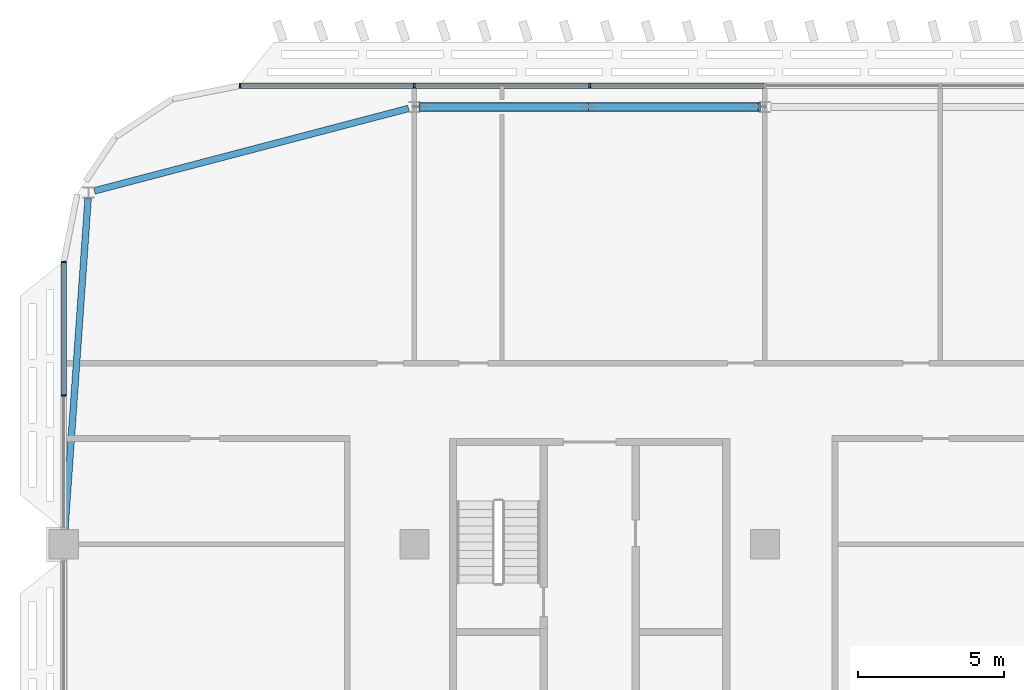
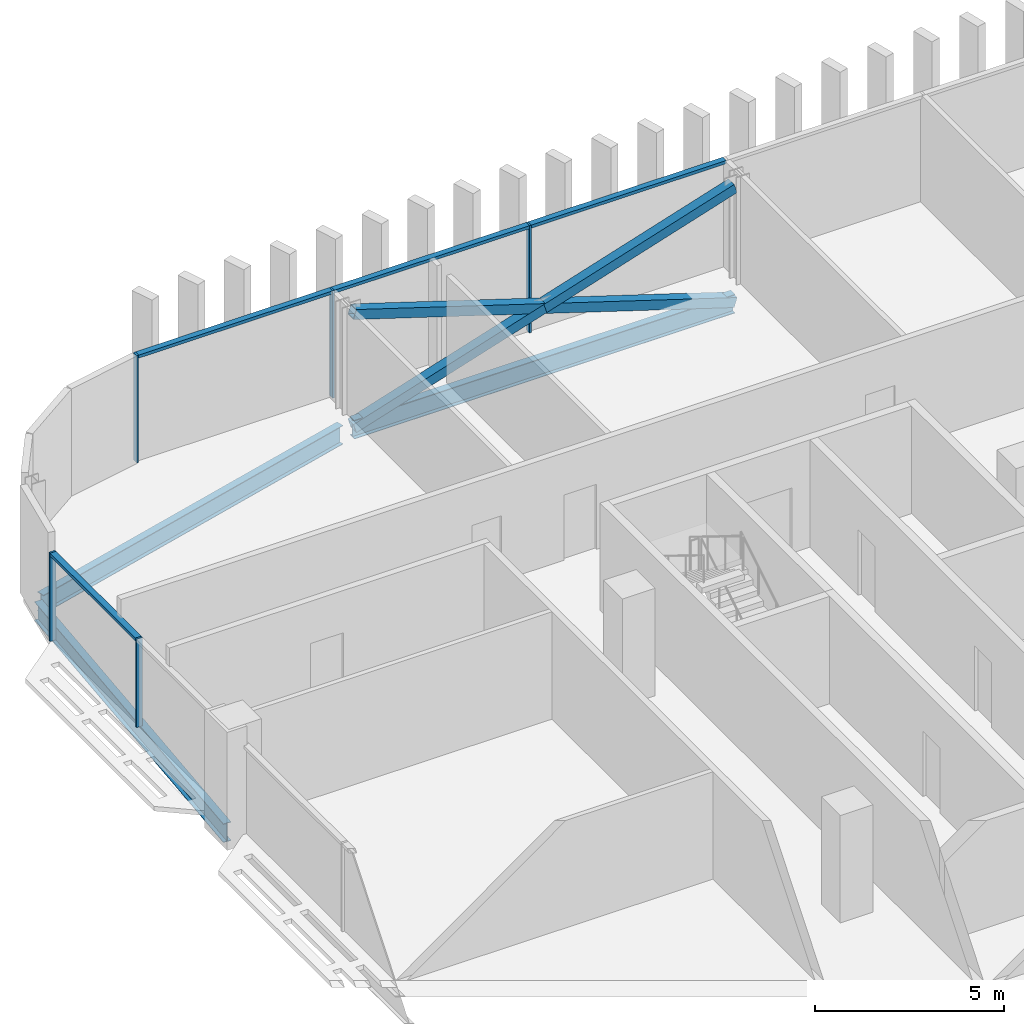
# One storey, part 9 of 34: 12 members, 3 beams, 2 elements without a shape of their own.
"""IFC4 building model written with IfcOpenShell, lengths in metres."""

from ifc_helpers import new_model, si_unit, direction, frame, origin, origin_2d, place, context, subcontext, project, spatial, rectangle, hollow_rectangle, i_section, extrude, material, material_profile, profile_set, type_object, element, aggregate, save


model = new_model("IFC4")

# Units and contexts
model_context = context("Model", 3, precision=1e-05, world=origin(), true_north=direction((0.0, 1.0)))
body_context = subcontext(model_context, "Body", "Model", "MODEL_VIEW")
ifc_project = project(units=[si_unit("LENGTHUNIT", "METRE"), si_unit("AREAUNIT", "SQUARE_METRE"), si_unit("VOLUMEUNIT", "CUBIC_METRE"), si_unit("PLANEANGLEUNIT", "RADIAN"), si_unit("MASSUNIT", "GRAM", prefix="KILO")], contexts=[model_context])

# Site, building, storey
site_placement = place(None, origin())
site = spatial("IfcSite", under=ifc_project, at=site_placement, CompositionType="ELEMENT")
building_placement = place(site_placement, origin())
building = spatial("IfcBuilding", under=site, at=building_placement, Name="Mahtab Terrace Research Tower", CompositionType="ELEMENT")
storey_placement = place(building_placement, frame((0.0, 0.0, 247.60009765625)))
storey = spatial("IfcBuildingStorey", under=building, at=storey_placement, Name="L60", CompositionType="ELEMENT", Elevation=247.60009765625)

# Members
ifc_material_1 = material(Name="Steel ASTM A500 Gr C", Category="steel")
ifc_material_profile_1 = material_profile(ifc_material_1, hollow_rectangle(XDim=0.3046875, YDim=0.3046875, WallThickness=0.015869140625, at=origin_2d()), Name="HSS12X12X5/8")
ifc_profile_set_1 = profile_set([ifc_material_profile_1], Name="Steel ASTM A500 Gr C")
member_type_1 = type_object("IfcMemberType", Name="HSS 12x12x5/8 brace XB121258", PredefinedType="BRACE", material=ifc_profile_set_1)
member_1_placement = place(storey_placement, frame((-18.199462890625, 26.472900390625, -0.58056640625), z_axis=(-0.953338568311, 0.0, 0.301903252998), x_axis=(0.0, -1.0, 0.0)))
element("IfcMember", 1, at=member_1_placement, inside=storey, type_object=member_type_1, Name="Exoskeleton brace L60 07 a", PredefinedType="BRACE", context=body_context, shape_type="SweptSolid", body=[
    extrude(hollow_rectangle(XDim=0.3046875, YDim=0.3046875, WallThickness=0.015869140625, at=origin_2d()), origin(), (0.0, 0.0, 1.0), 12.1689453125),
])
for number, where, z_axis, x_axis, name in (
    (2, (-29.800537109375, 26.472900390625, -0.58056640625), (0.953338568311, 0.0, 0.301903252998), (0.0, 1.0, 0.0), "Exoskeleton brace L60 07 b1"),
    (3, (-24.0, 26.472900390625, 1.25634765625), (0.953338568311, 0.0, 0.301903252998), (0.0, 1.0, 0.0), "Exoskeleton brace L60 07 b2"),
):
    element("IfcMember", number, at=place(storey_placement, frame(where, z_axis=z_axis, x_axis=x_axis)), inside=storey, type_object=member_type_1, Name=name, PredefinedType="BRACE", context=body_context, shape_type="SweptSolid", body=[
        extrude(hollow_rectangle(XDim=0.3046875, YDim=0.3046875, WallThickness=0.015869140625, at=origin_2d()), origin(), (0.0, 0.0, 1.0), 6.08447265625),
    ])

# Curtain wall, members
ifc_material_2 = material(Name="Office ribbon curtain wall")
curtain_wall_type = type_object("IfcCurtainWallType", Name="Office ribbon curtain wall", PredefinedType="NOTDEFINED", material=ifc_material_2)
curtain_wall_1_placement = place(storey_placement, origin())
curtain_wall_1 = element("IfcCurtainWall", 4, at=curtain_wall_1_placement, inside=storey, type_object=curtain_wall_type, Name="EN.L60.3.3", PredefinedType="NOTDEFINED")
ifc_material_3 = material(Name="Natural anodised aluminium", Category="aluminium")
ifc_material_profile_2 = material_profile(ifc_material_3, rectangle(XDim=0.179931640625, YDim=0.06005859375, at=origin_2d()), Name="MULLION 60x180")
ifc_profile_set_2 = profile_set([ifc_material_profile_2], Name="Natural anodised aluminium")
member_type_2 = type_object("IfcMemberType", Name="Office ribbon curtain wall mullion", PredefinedType="MULLION", material=ifc_profile_set_2)
member_2_placement = place(storey_placement, frame((-24.0, 27.195068359375, 0.0), z_axis=(0.0, 0.0, 1.0), x_axis=(0.0, -1.0, 0.0)))
member_2 = element("IfcMember", 5, at=member_2_placement, type_object=member_type_2, Name="CWO-7 mullion 13", PredefinedType="MULLION", context=body_context, shape_type="SweptSolid", body=[
    extrude(rectangle(XDim=0.179931640625, YDim=0.06005859375, at=origin_2d()), origin(), (0.0, 0.0, 1.0), 3.4599609375),
])
member_3_placement = place(storey_placement, frame((-30.0, 27.195068359375, 0.0), z_axis=(0.0, 0.0, 1.0), x_axis=(0.0, -1.0, 0.0)))
member_3 = element("IfcMember", 6, at=member_3_placement, type_object=member_type_2, Name="CWO-7 mullion 14", PredefinedType="MULLION", context=body_context, shape_type="SweptSolid", body=[
    extrude(rectangle(XDim=0.179931640625, YDim=0.06005859375, at=origin_2d()), origin(), (0.0, 0.0, 1.0), 3.4599609375),
])
member_4_placement = place(storey_placement, frame((-35.969970703125, 27.195068359375, 0.0), z_axis=(0.0, 0.0, 1.0), x_axis=(0.0, -1.0, 0.0)))
member_4 = element("IfcMember", 7, at=member_4_placement, type_object=member_type_2, Name="CWO-7 mullion 15", PredefinedType="MULLION", context=body_context, shape_type="SweptSolid", body=[
    extrude(rectangle(XDim=0.179931640625, YDim=0.06005859375, at=origin_2d()), origin(), (0.0, 0.0, 1.0), 3.4599609375),
])

curtain_wall_2_placement = place(storey_placement, origin())
curtain_wall_2 = element("IfcCurtainWall", 8, at=curtain_wall_2_placement, inside=storey, type_object=curtain_wall_type, Name="EN.L60.8.8", PredefinedType="NOTDEFINED")
member_5_placement = place(storey_placement, frame((-42.0, 21.1650390625, 0.0), z_axis=(0.0, 0.0, 1.0), x_axis=(1.0, 0.0, 0.0)))
member_5 = element("IfcMember", 9, at=member_5_placement, type_object=member_type_2, Name="CWO-7 mullion 1", PredefinedType="MULLION", context=body_context, shape_type="SweptSolid", body=[
    extrude(rectangle(XDim=0.179931640625, YDim=0.06005859375, at=origin_2d()), origin(), (0.0, 0.0, 1.0), 2.852783203125),
])
member_6_placement = place(storey_placement, frame((-42.0, 16.597412109375, 0.0), z_axis=(0.0, 0.0, 1.0), x_axis=(1.0, 0.0, 0.0)))
member_6 = element("IfcMember", 10, at=member_6_placement, type_object=member_type_2, Name="CWO-7 mullion 2", PredefinedType="MULLION", context=body_context, shape_type="SweptSolid", body=[
    extrude(rectangle(XDim=0.179931640625, YDim=0.06005859375, at=origin_2d()), origin(), (0.0, 0.0, 1.0), 2.852783203125),
])

# Member
ifc_material_profile_3 = material_profile(ifc_material_3, rectangle(XDim=0.179931640625, YDim=0.10009765625, at=origin_2d()), Name="TRANSOM 100x180")
ifc_profile_set_3 = profile_set([ifc_material_profile_3], Name="Natural anodised aluminium")
member_type_3 = type_object("IfcMemberType", Name="Office ribbon curtain wall transom", PredefinedType="USERDEFINED", material=ifc_profile_set_3)
member_7_placement = place(storey_placement, frame((-18.030029296875, 27.195068359375, 3.409912109375), z_axis=(-1.0, 0.0, 0.0), x_axis=(0.0, -1.0, 0.0)))
member_7 = element("IfcMember", 11, at=member_7_placement, type_object=member_type_3, Name="CWO-7 transom 12", ObjectType="TRANSOM", PredefinedType="USERDEFINED", context=body_context, shape_type="SweptSolid", body=[
    extrude(rectangle(XDim=0.179931640625, YDim=0.10009765625, at=origin_2d()), origin(), (0.0, 0.0, 1.0), 5.93994140625),
])

member_8_placement = place(storey_placement, frame((-24.030029296875, 27.195068359375, 3.409912109375), z_axis=(-1.0, 0.0, 0.0), x_axis=(0.0, -1.0, 0.0)))
member_8 = element("IfcMember", 12, at=member_8_placement, type_object=member_type_3, Name="CWO-7 transom 13", ObjectType="TRANSOM", PredefinedType="USERDEFINED", context=body_context, shape_type="SweptSolid", body=[
    extrude(rectangle(XDim=0.179931640625, YDim=0.10009765625, at=origin_2d()), origin(), (0.0, 0.0, 1.0), 5.93994140625),
])

member_9_placement = place(storey_placement, frame((-30.030029296875, 27.195068359375, 3.409912109375), z_axis=(-1.0, 0.0, 0.0), x_axis=(0.0, -1.0, 0.0)))
member_9 = element("IfcMember", 13, at=member_9_placement, type_object=member_type_3, Name="CWO-7 transom 14", ObjectType="TRANSOM", PredefinedType="USERDEFINED", context=body_context, shape_type="SweptSolid", body=[
    extrude(rectangle(XDim=0.179931640625, YDim=0.10009765625, at=origin_2d()), origin(), (0.0, 0.0, 1.0), 5.909912109375),
])

aggregate(curtain_wall_1, [member_2, member_3, member_4, member_7, member_8, member_9])

member_10_placement = place(storey_placement, frame((-42.0, 21.135009765625, 2.802734375), z_axis=(0.0, -1.0, 0.0), x_axis=(1.0, 0.0, 0.0)))
member_10 = element("IfcMember", 14, at=member_10_placement, type_object=member_type_3, Name="CWO-7 transom 1", ObjectType="TRANSOM", PredefinedType="USERDEFINED", context=body_context, shape_type="SweptSolid", body=[
    extrude(rectangle(XDim=0.179931640625, YDim=0.10009765625, at=origin_2d()), origin(), (0.0, 0.0, 1.0), 4.507568359375),
])

aggregate(curtain_wall_2, [member_5, member_6, member_10])

# Beams
ifc_material_4 = material(Name="Steel ASTM A992 Gr 50", Category="steel")
ifc_material_profile_4 = material_profile(ifc_material_4, i_section(OverallWidth=0.228271484375, OverallDepth=0.607177734375, WebThickness=0.01123046875, FlangeThickness=0.017333984375, at=origin_2d()), Name="W24X76")
ifc_profile_set_4 = profile_set([ifc_material_profile_4], Name="Steel ASTM A992 Gr 50")
beam_type = type_object("IfcBeamType", Name="W24x76 beam BS2476", PredefinedType="BEAM", material=ifc_profile_set_4)
beam_1_placement = place(storey_placement, frame((-18.199462890625, 26.472900390625, -0.6435546875), z_axis=(-1.0, 0.0, 0.0), x_axis=(0.0, -1.0, 0.0)))
element("IfcBeam", 15, at=beam_1_placement, inside=storey, type_object=beam_type, Name="Spandrel beam L60 07", PredefinedType="BEAM", context=body_context, shape_type="SweptSolid", body=[
    extrude(i_section(OverallWidth=0.228271484375, OverallDepth=0.607177734375, WebThickness=0.01123046875, FlangeThickness=0.017333984375, at=origin_2d()), origin(), (0.0, 0.0, 1.0), 11.60107421875),
])
beam_2_placement = place(storey_placement, frame((-30.199462890625, 26.420654296875, -0.6435546875), z_axis=(-0.967252058434, -0.253817760323, 0.0), x_axis=(0.253817760323, -0.967252058434, 0.0)))
element("IfcBeam", 16, at=beam_2_placement, inside=storey, type_object=beam_type, Name="Spandrel beam L60 08", PredefinedType="BEAM", context=body_context, shape_type="SweptSolid", body=[
    extrude(i_section(OverallWidth=0.228271484375, OverallDepth=0.607177734375, WebThickness=0.01123046875, FlangeThickness=0.017333984375, at=origin_2d()), origin(), (0.0, 0.0, 1.0), 11.119140625),
])
beam_3_placement = place(storey_placement, frame((-41.16748046875, 23.35302734375, -0.6435546875), z_axis=(-0.070060954326, -0.997542712208, 0.0), x_axis=(0.997542712208, -0.070060954326, 0.0)))
element("IfcBeam", 17, at=beam_3_placement, inside=storey, type_object=beam_type, Name="Spandrel beam L60 09", PredefinedType="BEAM", context=body_context, shape_type="SweptSolid", body=[
    extrude(i_section(OverallWidth=0.228271484375, OverallDepth=0.607177734375, WebThickness=0.01123046875, FlangeThickness=0.017333984375, at=origin_2d()), origin(), (0.0, 0.0, 1.0), 11.381103515625),
])

save(model, "model.ifc")
